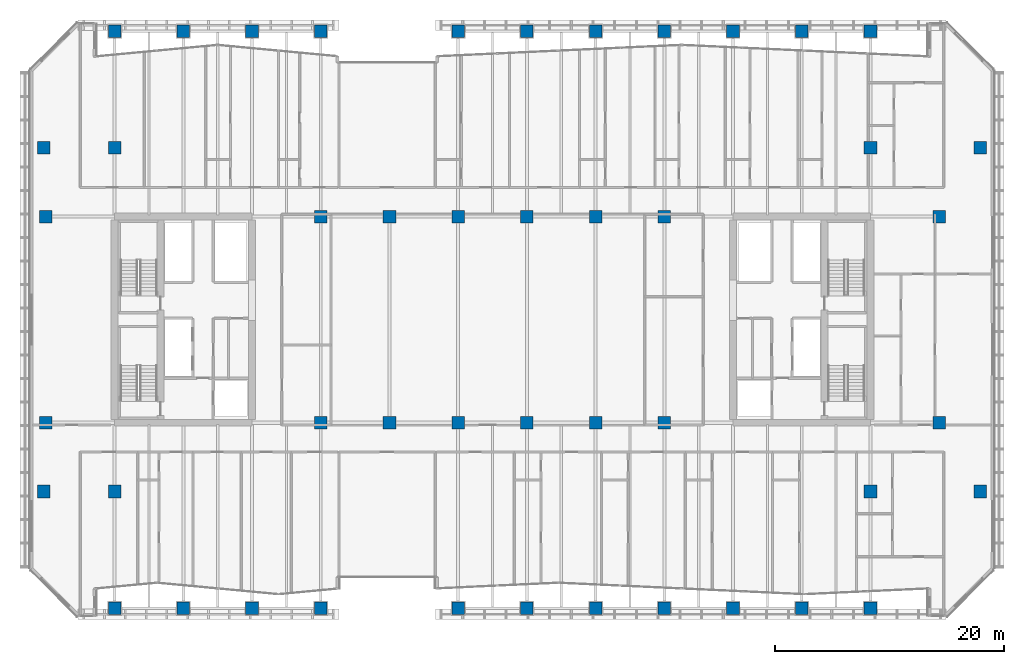
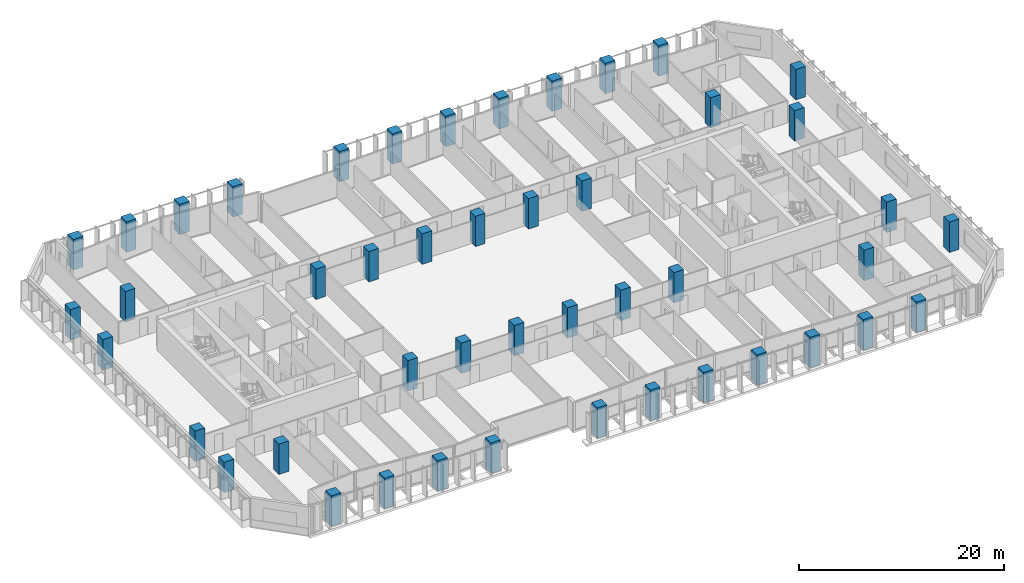
# One storey, part 1 of 32: 46 columns.
"""IFC4 building model written with IfcOpenShell, lengths in metres."""

from ifc_helpers import new_model, si_unit, direction, frame, origin, origin_2d, place, context, subcontext, project, spatial, rectangle, extrude, material, material_profile, profile_set, type_object, element, save


model = new_model("IFC4")

# Units and contexts
model_context = context("Model", 3, precision=1e-05, world=origin(), true_north=direction((0.0, 1.0)))
body_context = subcontext(model_context, "Body", "Model", "MODEL_VIEW")
ifc_project = project(units=[si_unit("LENGTHUNIT", "METRE"), si_unit("AREAUNIT", "SQUARE_METRE"), si_unit("VOLUMEUNIT", "CUBIC_METRE"), si_unit("PLANEANGLEUNIT", "RADIAN"), si_unit("MASSUNIT", "GRAM", prefix="KILO")], contexts=[model_context])

# Site, building, storey
site_placement = place(None, origin())
site = spatial("IfcSite", under=ifc_project, at=site_placement, CompositionType="ELEMENT")
building_placement = place(site_placement, origin())
building = spatial("IfcBuilding", under=site, at=building_placement, Name="Tanjung Sevakor Pilgrim Tower", CompositionType="ELEMENT")
storey_placement = place(building_placement, frame((0.0, 0.0, 62.3701171875)))
storey = spatial("IfcBuildingStorey", under=building, at=storey_placement, Name="L17", CompositionType="ELEMENT", Elevation=62.3701171875)

# Columns
ifc_material = material(Name="Concrete C60/75", Category="concrete")
ifc_material_profile = material_profile(ifc_material, rectangle(XDim=1.10009765625, YDim=1.10009765625, at=origin_2d()))
ifc_profile_set = profile_set([ifc_material_profile], Name="Concrete C60/75")
column_type = type_object("IfcColumnType", Name="COL-C-T1100-RC_1100x1100", PredefinedType="COLUMN", material=ifc_profile_set)
for number, where, z_axis, x_axis, name in (
    (1, (18.0, 24.60009765625, 0.0), (0.0, 0.0, 1.0), (1.0, 0.0, 0.0), "L17 Column SPW-018-246"),
    (2, (18.0, 42.60009765625, 0.0), (0.0, 0.0, 1.0), (1.0, 0.0, 0.0), "L17 Column SPW-018-426"),
    (3, (42.0, 24.60009765625, 0.0), (0.0, 0.0, 1.0), (1.0, 0.0, 0.0), "L17 Column SPW-042-246"),
    (4, (42.0, 42.60009765625, 0.0), (0.0, 0.0, 1.0), (1.0, 0.0, 0.0), "L17 Column SPW-042-426"),
    (5, (48.0, 24.60009765625, 0.0), (0.0, 0.0, 1.0), (1.0, 0.0, 0.0), "L17 Column SPW-048-246"),
    (6, (48.0, 42.60009765625, 0.0), (0.0, 0.0, 1.0), (1.0, 0.0, 0.0), "L17 Column SPW-048-426"),
    (7, (54.0, 24.60009765625, 0.0), (0.0, 0.0, 1.0), (1.0, 0.0, 0.0), "L17 Column SPE-054-246"),
    (8, (54.0, 42.60009765625, 0.0), (0.0, 0.0, 1.0), (1.0, 0.0, 0.0), "L17 Column SPE-054-426"),
    (9, (60.0, 24.60009765625, 0.0), (0.0, 0.0, 1.0), (1.0, 0.0, 0.0), "L17 Column SPE-060-246"),
    (10, (60.0, 42.60009765625, 0.0), (0.0, 0.0, 1.0), (1.0, 0.0, 0.0), "L17 Column SPE-060-426"),
    (11, (66.0, 24.60009765625, 0.0), (0.0, 0.0, 1.0), (1.0, 0.0, 0.0), "L17 Column SPE-066-246"),
    (12, (66.0, 42.60009765625, 0.0), (0.0, 0.0, 1.0), (1.0, 0.0, 0.0), "L17 Column SPE-066-426"),
    (13, (72.0, 24.60009765625, 0.0), (0.0, 0.0, 1.0), (1.0, 0.0, 0.0), "L17 Column SPE-072-246"),
    (14, (72.0, 42.60009765625, 0.0), (0.0, 0.0, 1.0), (1.0, 0.0, 0.0), "L17 Column SPE-072-426"),
    (15, (96.0, 24.60009765625, 0.0), (0.0, 0.0, 1.0), (1.0, 0.0, 0.0), "L17 Column SPE-096-246"),
    (16, (96.0, 42.60009765625, 0.0), (0.0, 0.0, 1.0), (1.0, 0.0, 0.0), "L17 Column SPE-096-426"),
    (17, (17.800048828125, 18.60009765625, 0.0), (0.0, 0.0, 1.0), (1.0, 0.0, 0.0), "L17 Column TCE-0178-186"),
    (18, (17.800048828125, 48.60009765625, 0.0), (0.0, 0.0, 1.0), (1.0, 0.0, 0.0), "L17 Column TCE-0178-486"),
    (19, (24.0, 18.60009765625, 0.0), (0.0, 0.0, 1.0), (1.0, 0.0, 0.0), "L17 Column TCE-0240-186"),
    (20, (24.0, 48.60009765625, 0.0), (0.0, 0.0, 1.0), (1.0, 0.0, 0.0), "L17 Column TCE-0240-486"),
    (21, (90.0, 18.60009765625, 0.0), (0.0, 0.0, 1.0), (1.0, 0.0, 0.0), "L17 Column TCE-0900-186"),
    (22, (90.0, 48.60009765625, 0.0), (0.0, 0.0, 1.0), (1.0, 0.0, 0.0), "L17 Column TCE-0900-486"),
    (23, (99.60009765625, 18.60009765625, 0.0), (0.0, 0.0, 1.0), (1.0, 0.0, 0.0), "L17 Column TCE-0996-186"),
    (24, (99.60009765625, 48.60009765625, 0.0), (0.0, 0.0, 1.0), (1.0, 0.0, 0.0), "L17 Column TCE-0996-486"),
    (25, (24.0, 8.39990234375, 0.0), (0.0, 0.0, 1.0), (1.0, 0.0, 0.0), "L17 Column TC1-024-084"),
    (26, (24.0, 58.800048828125, 0.0), (0.0, 0.0, 1.0), (1.0, 0.0, 0.0), "L17 Column TC1-024-588"),
    (27, (30.0, 8.39990234375, 0.0), (0.0, 0.0, 1.0), (1.0, 0.0, 0.0), "L17 Column TC1-030-084"),
    (28, (30.0, 58.800048828125, 0.0), (0.0, 0.0, 1.0), (1.0, 0.0, 0.0), "L17 Column TC1-030-588"),
    (29, (36.0, 8.39990234375, 0.0), (0.0, 0.0, 1.0), (1.0, 0.0, 0.0), "L17 Column TC1-036-084"),
    (30, (36.0, 58.800048828125, 0.0), (0.0, 0.0, 1.0), (1.0, 0.0, 0.0), "L17 Column TC1-036-588"),
    (31, (42.0, 8.39990234375, 0.0), (0.0, 0.0, 1.0), (1.0, 0.0, 0.0), "L17 Column TC1-042-084"),
    (32, (42.0, 58.800048828125, 0.0), (0.0, 0.0, 1.0), (1.0, 0.0, 0.0), "L17 Column TC1-042-588"),
    (33, (54.0, 8.39990234375, 0.0), (0.0, 0.0, 1.0), (1.0, 0.0, 0.0), "L17 Column TC1-054-084"),
    (34, (54.0, 58.800048828125, 0.0), (0.0, 0.0, 1.0), (1.0, 0.0, 0.0), "L17 Column TC1-054-588"),
    (35, (60.0, 8.39990234375, 0.0), (0.0, 0.0, 1.0), (1.0, 0.0, 0.0), "L17 Column TC1-060-084"),
    (36, (60.0, 58.800048828125, 0.0), (0.0, 0.0, 1.0), (1.0, 0.0, 0.0), "L17 Column TC1-060-588"),
    (37, (66.0, 8.39990234375, 0.0), (0.0, 0.0, 1.0), (1.0, 0.0, 0.0), "L17 Column TC1-066-084"),
    (38, (66.0, 58.800048828125, 0.0), (0.0, 0.0, 1.0), (1.0, 0.0, 0.0), "L17 Column TC1-066-588"),
    (39, (72.0, 8.39990234375, 0.0), (0.0, 0.0, 1.0), (1.0, 0.0, 0.0), "L17 Column TC1-072-084"),
    (40, (72.0, 58.800048828125, 0.0), (0.0, 0.0, 1.0), (1.0, 0.0, 0.0), "L17 Column TC1-072-588"),
    (41, (78.0, 8.39990234375, 0.0), (0.0, 0.0, 1.0), (1.0, 0.0, 0.0), "L17 Column TC1-078-084"),
    (42, (78.0, 58.800048828125, 0.0), (0.0, 0.0, 1.0), (1.0, 0.0, 0.0), "L17 Column TC1-078-588"),
    (43, (84.0, 8.39990234375, 0.0), (0.0, 0.0, 1.0), (1.0, 0.0, 0.0), "L17 Column TC1-084-084"),
    (44, (84.0, 58.800048828125, 0.0), (0.0, 0.0, 1.0), (1.0, 0.0, 0.0), "L17 Column TC1-084-588"),
    (45, (90.0, 8.39990234375, 0.0), (0.0, 0.0, 1.0), (1.0, 0.0, 0.0), "L17 Column TC1-090-084"),
    (46, (90.0, 58.800048828125, 0.0), (0.0, 0.0, 1.0), (1.0, 0.0, 0.0), "L17 Column TC1-090-588"),
):
    element("IfcColumn", number, at=place(storey_placement, frame(where, z_axis=z_axis, x_axis=x_axis)), inside=storey, type_object=column_type, Name=name, PredefinedType="COLUMN", context=body_context, shape_type="SweptSolid", body=[
        extrude(rectangle(XDim=1.10009765625, YDim=1.10009765625, at=origin_2d()), origin(), (0.0, 0.0, 1.0), 3.6298828125),
    ])

save(model, "model.ifc")
